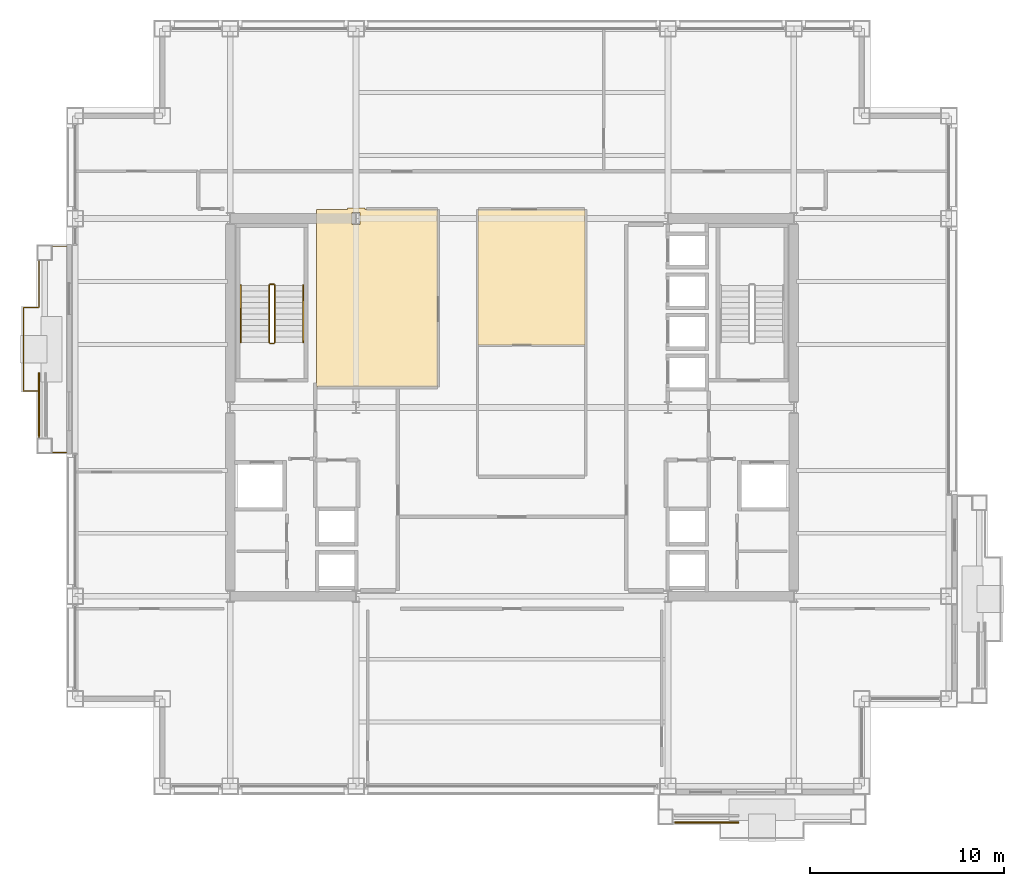
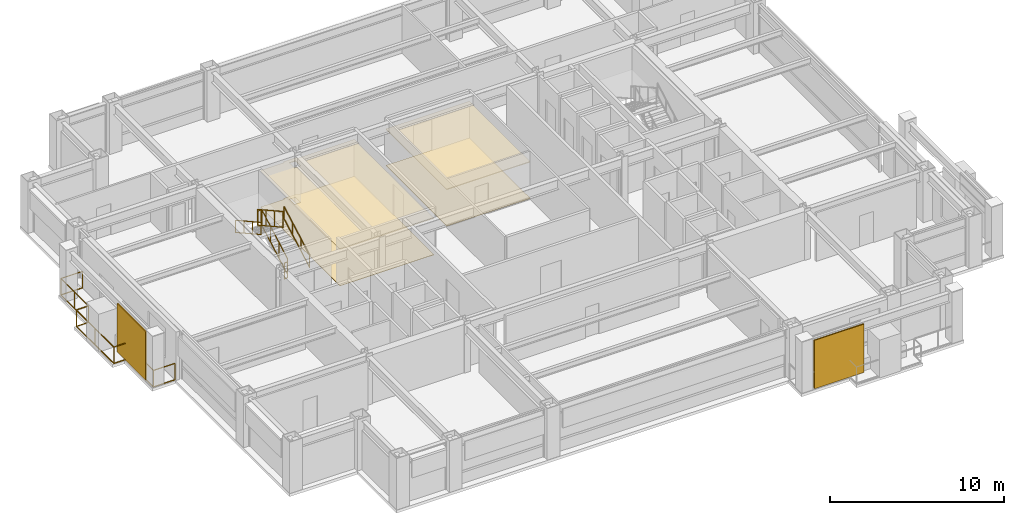
# One storey, part 27 of 29: 7 railings, 4 coverings, 2 shading devices.
"""IFC4 building model written with IfcOpenShell, lengths in metres."""

from ifc_helpers import new_model, si_unit, direction, frame, origin, origin_2d, place, context, subcontext, project, spatial, polyline, rectangle, outline, extrude, material, layer, layer_set, type_object, element, save


model = new_model("IFC4")

# Units and contexts
model_context = context("Model", 3, precision=1e-05, world=origin(), true_north=direction((0.0, 1.0)))
body_context = subcontext(model_context, "Body", "Model", "MODEL_VIEW")
ifc_project = project(units=[si_unit("LENGTHUNIT", "METRE"), si_unit("AREAUNIT", "SQUARE_METRE"), si_unit("VOLUMEUNIT", "CUBIC_METRE"), si_unit("PLANEANGLEUNIT", "RADIAN"), si_unit("MASSUNIT", "GRAM", prefix="KILO")], contexts=[model_context])

# Site, building, storey
site_placement = place(None, origin())
site = spatial("IfcSite", under=ifc_project, at=site_placement, CompositionType="ELEMENT")
building_placement = place(site_placement, origin())
building = spatial("IfcBuilding", under=site, at=building_placement, Name="Brelmoor Portico Tower", CompositionType="ELEMENT")
storey_placement = place(building_placement, frame((0.0, 0.0, 95.39990234375)))
storey = spatial("IfcBuildingStorey", under=building, at=storey_placement, Name="L24", CompositionType="ELEMENT", Elevation=95.39990234375)

# Coverings
ifc_material_1 = material(Name="Powder-Coated Aluminium Acoustic Baffle Ceiling", Category="aluminium")
ifc_layer_1 = layer(ifc_material_1, 0.044921875)
ifc_layer_set_1 = layer_set([ifc_layer_1], Name="Powder-Coated Aluminium Acoustic Baffle Ceiling")
covering_type_1 = type_object("IfcCoveringType", Name="CV-CEIL-BAFFLE-45", PredefinedType="CEILING", material=ifc_layer_set_1)
covering_1_placement = place(storey_placement, frame((0.0, 0.0, 2.550048828125)))
element("IfcCovering", 1, at=covering_1_placement, inside=storey, type_object=covering_type_1, Name="L24 Acoustic Suspended Ceiling 01", PredefinedType="CEILING", context=body_context, shape_type="SweptSolid", body=[
    extrude(outline(polyline([(-10.080078125, 10.2099609375), (-8.5, 10.2099609375), (-8.5, 10.300048828125), (-7.60009765625, 10.300048828125), (-7.60009765625, 10.2099609375), (-3.840087890625, 10.2099609375), (-3.840087890625, 1.090087890625), (-10.080078125, 1.090087890625), (-10.080078125, 10.2099609375)]), holes=[polyline([(-7.85009765625, 9.449951171875), (-7.85009765625, 10.050048828125), (-8.25, 10.050048828125), (-8.25, 9.449951171875), (-7.85009765625, 9.449951171875)])]), origin(), (0.0, 0.0, 1.0), 0.045166015625),
])
ifc_material_2 = material(Name="Slatted FSC Oak Acoustic Feature Ceiling", Category="timber")
ifc_layer_2 = layer(ifc_material_2, 0.052001953125)
ifc_layer_set_2 = layer_set([ifc_layer_2], Name="Slatted FSC Oak Acoustic Feature Ceiling")
covering_type_2 = type_object("IfcCoveringType", Name="CV-CEIL-TIMBER-52", PredefinedType="CEILING", material=ifc_layer_set_2)
covering_2_placement = place(storey_placement, frame((0.0, 0.0, 2.550048828125)))
element("IfcCovering", 2, at=covering_2_placement, inside=storey, type_object=covering_type_2, Name="L24 Acoustic Suspended Ceiling 02", PredefinedType="CEILING", context=body_context, shape_type="SweptSolid", body=[
    extrude(outline(polyline([(-1.760009765625, 3.219970703125), (-1.760009765625, 10.2099609375), (3.780029296875, 10.2099609375), (3.780029296875, 3.219970703125), (-1.760009765625, 3.219970703125)])), origin(), (0.0, 0.0, 1.0), 0.052001953125),
])
ifc_material_3 = material(Name="Honed Pearl-Grey Granite Paver Finish", Category="masonry")
ifc_layer_3 = layer(ifc_material_3, 0.0380859375)
ifc_layer_set_3 = layer_set([ifc_layer_3], Name="Honed Pearl-Grey Granite Paver Finish")
covering_type_3 = type_object("IfcCoveringType", Name="CV-FLR-GRANITE-38", PredefinedType="FLOORING", material=ifc_layer_set_3)
covering_3_placement = place(storey_placement, origin())
element("IfcCovering", 3, at=covering_3_placement, inside=storey, type_object=covering_type_3, Name="L24 Architectural Floor Finish 02", PredefinedType="FLOORING", context=body_context, shape_type="SweptSolid", body=[
    extrude(outline(polyline([(-1.760009765625, 3.219970703125), (-1.760009765625, 10.2099609375), (3.780029296875, 10.2099609375), (3.780029296875, 3.219970703125), (-1.760009765625, 3.219970703125)])), origin(), (0.0, 0.0, 1.0), 0.0380859375),
])
ifc_material_4 = material(Name="Polished Pale-Aggregate Cementitious Terrazzo", Category="stone")
ifc_layer_4 = layer(ifc_material_4, 0.030029296875)
ifc_layer_set_4 = layer_set([ifc_layer_4], Name="Polished Pale-Aggregate Cementitious Terrazzo")
covering_type_4 = type_object("IfcCoveringType", Name="CV-FLR-TERRAZZO-30", PredefinedType="FLOORING", material=ifc_layer_set_4)
covering_4_placement = place(storey_placement, origin())
element("IfcCovering", 4, at=covering_4_placement, inside=storey, type_object=covering_type_4, Name="L24 Architectural Floor Finish 01", PredefinedType="FLOORING", context=body_context, shape_type="SweptSolid", body=[
    extrude(outline(polyline([(-10.080078125, 10.2099609375), (-8.5, 10.2099609375), (-8.5, 10.300048828125), (-7.60009765625, 10.300048828125), (-7.60009765625, 10.2099609375), (-3.840087890625, 10.2099609375), (-3.840087890625, 1.090087890625), (-10.080078125, 1.090087890625), (-10.080078125, 10.2099609375)]), holes=[polyline([(-7.85009765625, 9.449951171875), (-7.85009765625, 10.050048828125), (-8.25, 10.050048828125), (-8.25, 9.449951171875), (-7.85009765625, 9.449951171875)])]), origin(), (0.0, 0.0, 1.0), 0.030029296875),
])

# Railings
ifc_material_5 = material(Name="Perforated Pale Champagne Aluminium Fretwork Guard", Category="aluminium")
railing_type_1 = type_object("IfcRailingType", Name="RL-BALUSTRADE-1200", PredefinedType="BALUSTRADE", material=ifc_material_5)
railing_1_placement = place(storey_placement, frame((-23.0, -2.320068359375, 0.0)))
element("IfcRailing", 5, at=railing_1_placement, inside=storey, type_object=railing_type_1, Name="L24 Tree Balcony Fretwork Balustrade W", PredefinedType="BALUSTRADE", context=body_context, shape_type="SweptSolid", body=[
    extrude(rectangle(XDim=0.048095703125, YDim=0.048095703125, at=origin_2d()), frame((0.0, 0.0, 1.17578125), z_axis=(-1.0, 0.0, 0.0), x_axis=(0.0, -1.0, 0.0)), (0.0, 0.0, 1.0), 1.429931640625),
    extrude(rectangle(XDim=0.048095703125, YDim=0.048095703125, at=origin_2d()), frame((0.0, 0.0, 0.02392578125), z_axis=(-1.0, 0.0, 0.0), x_axis=(0.0, -1.0, 0.0)), (0.0, 0.0, 1.0), 1.429931640625),
    extrude(rectangle(XDim=0.048095703125, YDim=0.048095703125, at=origin_2d()), frame((-1.429931640625, 0.0, 1.17578125), z_axis=(0.0, 1.0, 0.0), x_axis=(-1.0, 0.0, 0.0)), (0.0, 0.0, 1.0), 3.170166015625),
    extrude(rectangle(XDim=0.048095703125, YDim=0.048095703125, at=origin_2d()), frame((-1.429931640625, 0.0, 0.02392578125), z_axis=(0.0, 1.0, 0.0), x_axis=(-1.0, 0.0, 0.0)), (0.0, 0.0, 1.0), 3.170166015625),
    extrude(rectangle(XDim=0.048095703125, YDim=0.048095703125, at=origin_2d()), frame((-1.429931640625, 3.170166015625, 1.17578125), z_axis=(-1.0, 0.0, 0.0), x_axis=(0.0, -1.0, 0.0)), (0.0, 0.0, 1.0), 0.800048828125),
    extrude(rectangle(XDim=0.048095703125, YDim=0.048095703125, at=origin_2d()), frame((-1.429931640625, 3.170166015625, 0.02392578125), z_axis=(-1.0, 0.0, 0.0), x_axis=(0.0, -1.0, 0.0)), (0.0, 0.0, 1.0), 0.800048828125),
    extrude(rectangle(XDim=0.048095703125, YDim=0.048095703125, at=origin_2d()), frame((-2.22998046875, 3.170166015625, 1.17578125), z_axis=(0.0, 1.0, 0.0), x_axis=(-1.0, 0.0, 0.0)), (0.0, 0.0, 1.0), 4.2998046875),
    extrude(rectangle(XDim=0.048095703125, YDim=0.048095703125, at=origin_2d()), frame((-2.22998046875, 3.170166015625, 0.02392578125), z_axis=(0.0, 1.0, 0.0), x_axis=(-1.0, 0.0, 0.0)), (0.0, 0.0, 1.0), 4.2998046875),
    extrude(rectangle(XDim=0.048095703125, YDim=0.048095703125, at=origin_2d()), frame((-2.22998046875, 7.469970703125, 1.17578125), z_axis=(1.0, 0.0, 0.0), x_axis=(0.0, 1.0, 0.0)), (0.0, 0.0, 1.0), 0.800048828125),
    extrude(rectangle(XDim=0.048095703125, YDim=0.048095703125, at=origin_2d()), frame((-2.22998046875, 7.469970703125, 0.02392578125), z_axis=(1.0, 0.0, 0.0), x_axis=(0.0, 1.0, 0.0)), (0.0, 0.0, 1.0), 0.800048828125),
    extrude(rectangle(XDim=0.048095703125, YDim=0.048095703125, at=origin_2d()), frame((-1.429931640625, 7.469970703125, 1.17578125), z_axis=(0.0, 1.0, 0.0), x_axis=(-1.0, 0.0, 0.0)), (0.0, 0.0, 1.0), 3.170166015625),
    extrude(rectangle(XDim=0.048095703125, YDim=0.048095703125, at=origin_2d()), frame((-1.429931640625, 7.469970703125, 0.02392578125), z_axis=(0.0, 1.0, 0.0), x_axis=(-1.0, 0.0, 0.0)), (0.0, 0.0, 1.0), 3.170166015625),
    extrude(rectangle(XDim=0.048095703125, YDim=0.048095703125, at=origin_2d()), frame((-1.429931640625, 10.64013671875, 1.17578125), z_axis=(1.0, 0.0, 0.0), x_axis=(0.0, 1.0, 0.0)), (0.0, 0.0, 1.0), 1.429931640625),
    extrude(rectangle(XDim=0.048095703125, YDim=0.048095703125, at=origin_2d()), frame((-1.429931640625, 10.64013671875, 0.02392578125), z_axis=(1.0, 0.0, 0.0), x_axis=(0.0, 1.0, 0.0)), (0.0, 0.0, 1.0), 1.429931640625),
    extrude(rectangle(XDim=0.0419921875, YDim=0.0419921875, at=origin_2d()), origin(), (0.0, 0.0, 1.0), 1.15185546875),
    extrude(rectangle(XDim=0.0419921875, YDim=0.0419921875, at=origin_2d()), frame((-1.429931640625, 0.0, 0.0)), (0.0, 0.0, 1.0), 1.15185546875),
    extrude(rectangle(XDim=0.0419921875, YDim=0.0419921875, at=origin_2d()), frame((-1.429931640625, 1.5849609375, 0.0)), (0.0, 0.0, 1.0), 1.15185546875),
    extrude(rectangle(XDim=0.0419921875, YDim=0.0419921875, at=origin_2d()), frame((-1.429931640625, 3.170166015625, 0.0)), (0.0, 0.0, 1.0), 1.15185546875),
    extrude(rectangle(XDim=0.0419921875, YDim=0.0419921875, at=origin_2d()), frame((-2.22998046875, 3.170166015625, 0.0)), (0.0, 0.0, 1.0), 1.15185546875),
    extrude(rectangle(XDim=0.0419921875, YDim=0.0419921875, at=origin_2d()), frame((-2.22998046875, 5.320068359375, 0.0)), (0.0, 0.0, 1.0), 1.15185546875),
    extrude(rectangle(XDim=0.0419921875, YDim=0.0419921875, at=origin_2d()), frame((-2.22998046875, 7.469970703125, 0.0)), (0.0, 0.0, 1.0), 1.15185546875),
    extrude(rectangle(XDim=0.0419921875, YDim=0.0419921875, at=origin_2d()), frame((-1.429931640625, 7.469970703125, 0.0)), (0.0, 0.0, 1.0), 1.15185546875),
    extrude(rectangle(XDim=0.0419921875, YDim=0.0419921875, at=origin_2d()), frame((-1.429931640625, 9.05517578125, 0.0)), (0.0, 0.0, 1.0), 1.15185546875),
    extrude(rectangle(XDim=0.0419921875, YDim=0.0419921875, at=origin_2d()), frame((-1.429931640625, 10.64013671875, 0.0)), (0.0, 0.0, 1.0), 1.15185546875),
    extrude(rectangle(XDim=0.0419921875, YDim=0.0419921875, at=origin_2d()), frame((0.0, 10.64013671875, 0.0)), (0.0, 0.0, 1.0), 1.15185546875),
])
ifc_material_6 = material(Name="Painted Tubular Steel Q235B", Category="steel")
railing_type_2 = type_object("IfcRailingType", Name="RL-STAIR-GUARD", PredefinedType="GUARDRAIL", material=ifc_material_6)
railing_2_placement = place(storey_placement, frame((-12.239990234375, 3.35009765625, 0.163818359375)))
element("IfcRailing", 6, at=railing_2_placement, inside=storey, type_object=railing_type_2, Name="L24 ST-W stair guard 1", PredefinedType="GUARDRAIL", context=body_context, shape_type="SweptSolid", body=[
    extrude(rectangle(XDim=0.048095703125, YDim=0.048095703125, at=origin_2d()), frame((0.0, 0.0, 1.1259765625), z_axis=(0.0, 0.87448821551, 0.485046761595), x_axis=(-1.0, 0.0, 0.0)), (0.0, 0.0, 1.0), 3.373291015625),
    extrude(rectangle(XDim=0.048095703125, YDim=0.048095703125, at=origin_2d()), frame((0.0, 0.0, 0.02392578125), z_axis=(0.0, 0.87448821551, 0.485046761595), x_axis=(-1.0, 0.0, 0.0)), (0.0, 0.0, 1.0), 3.373291015625),
    extrude(rectangle(XDim=0.0419921875, YDim=0.0419921875, at=origin_2d()), origin(), (0.0, 0.0, 1.0), 1.101806640625),
    extrude(rectangle(XDim=0.0419921875, YDim=0.0419921875, at=origin_2d()), frame((0.0, 0.9833984375, 0.54541015625)), (0.0, 0.0, 1.0), 1.101806640625),
    extrude(rectangle(XDim=0.0419921875, YDim=0.0419921875, at=origin_2d()), frame((0.0, 1.966552734375, 1.0908203125)), (0.0, 0.0, 1.0), 1.101806640625),
    extrude(rectangle(XDim=0.0419921875, YDim=0.0419921875, at=origin_2d()), frame((0.0, 2.949951171875, 1.63623046875)), (0.0, 0.0, 1.0), 1.101806640625),
])
railing_3_placement = place(storey_placement, frame((-12.2900390625, 6.35009765625, 1.800048828125)))
element("IfcRailing", 7, at=railing_3_placement, inside=storey, type_object=railing_type_2, Name="L24 ST-W stair guard 2", PredefinedType="GUARDRAIL", context=body_context, shape_type="SweptSolid", body=[
    extrude(rectangle(XDim=0.048095703125, YDim=0.048095703125, at=origin_2d()), frame((0.0, 0.0, 1.1259765625), z_axis=(-1.0, 0.0, 0.0), x_axis=(0.0, -1.0, 0.0)), (0.0, 0.0, 1.0), 0.199951171875),
    extrude(rectangle(XDim=0.048095703125, YDim=0.048095703125, at=origin_2d()), frame((0.0, 0.0, 0.02392578125), z_axis=(-1.0, 0.0, 0.0), x_axis=(0.0, -1.0, 0.0)), (0.0, 0.0, 1.0), 0.199951171875),
    extrude(rectangle(XDim=0.0419921875, YDim=0.0419921875, at=origin_2d()), origin(), (0.0, 0.0, 1.0), 1.101806640625),
    extrude(rectangle(XDim=0.0419921875, YDim=0.0419921875, at=origin_2d()), frame((-0.199951171875, 0.0, 0.0)), (0.0, 0.0, 1.0), 1.101806640625),
])
railing_4_placement = place(storey_placement, frame((-12.5400390625, 6.300048828125, 1.963623046875)))
element("IfcRailing", 8, at=railing_4_placement, inside=storey, type_object=railing_type_2, Name="L24 ST-W stair guard 3", PredefinedType="GUARDRAIL", context=body_context, shape_type="SweptSolid", body=[
    extrude(rectangle(XDim=0.048095703125, YDim=0.048095703125, at=origin_2d()), frame((0.0, 0.0, 1.1259765625), z_axis=(0.0, -0.874457516365, 0.485102104791), x_axis=(1.0, 0.0, 0.0)), (0.0, 0.0, 1.0), 3.37353515625),
    extrude(rectangle(XDim=0.048095703125, YDim=0.048095703125, at=origin_2d()), frame((0.0, 0.0, 0.02392578125), z_axis=(0.0, -0.874457516365, 0.485102104791), x_axis=(1.0, 0.0, 0.0)), (0.0, 0.0, 1.0), 3.37353515625),
    extrude(rectangle(XDim=0.0419921875, YDim=0.0419921875, at=origin_2d()), origin(), (0.0, 0.0, 1.0), 1.101806640625),
    extrude(rectangle(XDim=0.0419921875, YDim=0.0419921875, at=origin_2d()), frame((0.0, -0.9833984375, 0.54541015625)), (0.0, 0.0, 1.0), 1.101806640625),
    extrude(rectangle(XDim=0.0419921875, YDim=0.0419921875, at=origin_2d()), frame((0.0, -1.966552734375, 1.091064453125)), (0.0, 0.0, 1.0), 1.101806640625),
    extrude(rectangle(XDim=0.0419921875, YDim=0.0419921875, at=origin_2d()), frame((0.0, -2.949951171875, 1.636474609375)), (0.0, 0.0, 1.0), 1.101806640625),
])
railing_5_placement = place(storey_placement, frame((-12.2900390625, 3.300048828125, 0.0)))
element("IfcRailing", 9, at=railing_5_placement, inside=storey, type_object=railing_type_2, Name="L24 ST-W stair guard 4", PredefinedType="GUARDRAIL", context=body_context, shape_type="SweptSolid", body=[
    extrude(rectangle(XDim=0.048095703125, YDim=0.048095703125, at=origin_2d()), frame((0.0, 0.0, 1.1259765625), z_axis=(-1.0, 0.0, 0.0), x_axis=(0.0, -1.0, 0.0)), (0.0, 0.0, 1.0), 0.199951171875),
    extrude(rectangle(XDim=0.048095703125, YDim=0.048095703125, at=origin_2d()), frame((0.0, 0.0, 0.02392578125), z_axis=(-1.0, 0.0, 0.0), x_axis=(0.0, -1.0, 0.0)), (0.0, 0.0, 1.0), 0.199951171875),
    extrude(rectangle(XDim=0.0419921875, YDim=0.0419921875, at=origin_2d()), origin(), (0.0, 0.0, 1.0), 1.101806640625),
    extrude(rectangle(XDim=0.0419921875, YDim=0.0419921875, at=origin_2d()), frame((-0.199951171875, 0.0, 0.0)), (0.0, 0.0, 1.0), 1.101806640625),
])
ifc_material_7 = material(Name="Brushed Stainless Steel 304", Category="steel")
railing_type_3 = type_object("IfcRailingType", Name="RL-STAIR-HANDRAIL", PredefinedType="HANDRAIL", material=ifc_material_7)
railing_6_placement = place(storey_placement, frame((-10.780029296875, 3.35009765625, 0.163818359375)))
element("IfcRailing", 10, at=railing_6_placement, inside=storey, type_object=railing_type_3, Name="L24 ST-W stair handrail 1", PredefinedType="HANDRAIL", context=body_context, shape_type="SweptSolid", body=[
    extrude(rectangle(XDim=0.048095703125, YDim=0.048095703125, at=origin_2d()), frame((0.0, 0.0, 0.8759765625), z_axis=(0.0, 0.87448821551, 0.485046761595), x_axis=(-1.0, 0.0, 0.0)), (0.0, 0.0, 1.0), 3.373291015625),
    extrude(rectangle(XDim=0.048095703125, YDim=0.048095703125, at=origin_2d()), frame((0.0, 0.0, 0.02392578125), z_axis=(0.0, 0.87448821551, 0.485046761595), x_axis=(-1.0, 0.0, 0.0)), (0.0, 0.0, 1.0), 3.373291015625),
    extrude(rectangle(XDim=0.0419921875, YDim=0.0419921875, at=origin_2d()), origin(), (0.0, 0.0, 1.0), 0.851806640625),
    extrude(rectangle(XDim=0.0419921875, YDim=0.0419921875, at=origin_2d()), frame((0.0, 0.9833984375, 0.54541015625)), (0.0, 0.0, 1.0), 0.851806640625),
    extrude(rectangle(XDim=0.0419921875, YDim=0.0419921875, at=origin_2d()), frame((0.0, 1.966552734375, 1.0908203125)), (0.0, 0.0, 1.0), 0.851806640625),
    extrude(rectangle(XDim=0.0419921875, YDim=0.0419921875, at=origin_2d()), frame((0.0, 2.949951171875, 1.63623046875)), (0.0, 0.0, 1.0), 0.851806640625),
])
railing_7_placement = place(storey_placement, frame((-14.0, 6.300048828125, 1.963623046875)))
element("IfcRailing", 11, at=railing_7_placement, inside=storey, type_object=railing_type_3, Name="L24 ST-W stair handrail 2", PredefinedType="HANDRAIL", context=body_context, shape_type="SweptSolid", body=[
    extrude(rectangle(XDim=0.048095703125, YDim=0.048095703125, at=origin_2d()), frame((0.0, 0.0, 0.8759765625), z_axis=(0.0, -0.874457516365, 0.485102104791), x_axis=(1.0, 0.0, 0.0)), (0.0, 0.0, 1.0), 3.37353515625),
    extrude(rectangle(XDim=0.048095703125, YDim=0.048095703125, at=origin_2d()), frame((0.0, 0.0, 0.02392578125), z_axis=(0.0, -0.874457516365, 0.485102104791), x_axis=(1.0, 0.0, 0.0)), (0.0, 0.0, 1.0), 3.37353515625),
    extrude(rectangle(XDim=0.0419921875, YDim=0.0419921875, at=origin_2d()), origin(), (0.0, 0.0, 1.0), 0.851806640625),
    extrude(rectangle(XDim=0.0419921875, YDim=0.0419921875, at=origin_2d()), frame((0.0, -0.9833984375, 0.54541015625)), (0.0, 0.0, 1.0), 0.851806640625),
    extrude(rectangle(XDim=0.0419921875, YDim=0.0419921875, at=origin_2d()), frame((0.0, -1.966552734375, 1.091064453125)), (0.0, 0.0, 1.0), 0.851806640625),
    extrude(rectangle(XDim=0.0419921875, YDim=0.0419921875, at=origin_2d()), frame((0.0, -2.949951171875, 1.636474609375)), (0.0, 0.0, 1.0), 0.851806640625),
])

# Shading devices
ifc_material_8 = material(Name="Powder-Coated Aluminium Shuttered Jalousie", Category="aluminium")
ifc_layer_5 = layer(ifc_material_8, 0.080078125)
ifc_layer_set_5 = layer_set([ifc_layer_5], Name="Powder-Coated Aluminium Shuttered Jalousie")
shading_device_type = type_object("IfcShadingDeviceType", Name="SD-JALOUSIE-LOGGIA", PredefinedType="JALOUSIE", material=ifc_layer_set_5)
for number, where, z_axis, x_axis, name in (
    (12, (10.050048828125, -21.429931640625, 0.000244140625), (0.0, 0.0, 1.0), (1.0, 0.0, 0.0), "L24 Loggia Shuttered Jalousie S"),
    (13, (-24.429931640625, 0.14990234375, 0.000244140625), (0.0, 0.0, 1.0), (0.0, 1.0, 0.0), "L24 Loggia Shuttered Jalousie W"),
):
    element("IfcShadingDevice", number, at=place(storey_placement, frame(where, z_axis=z_axis, x_axis=x_axis)), inside=storey, type_object=shading_device_type, Name=name, PredefinedType="JALOUSIE", context=body_context, shape_type="SweptSolid", body=[
        extrude(rectangle(XDim=3.300048828125, YDim=0.080078125, at=origin_2d()), origin(), (0.0, 0.0, 1.0), 3.39990234375),
    ])

save(model, "model.ifc")
